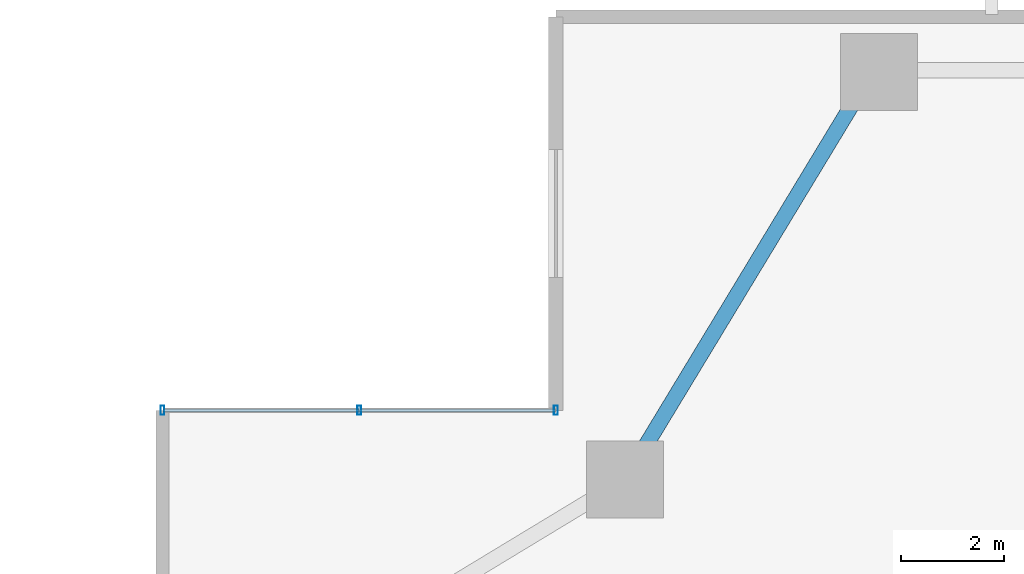
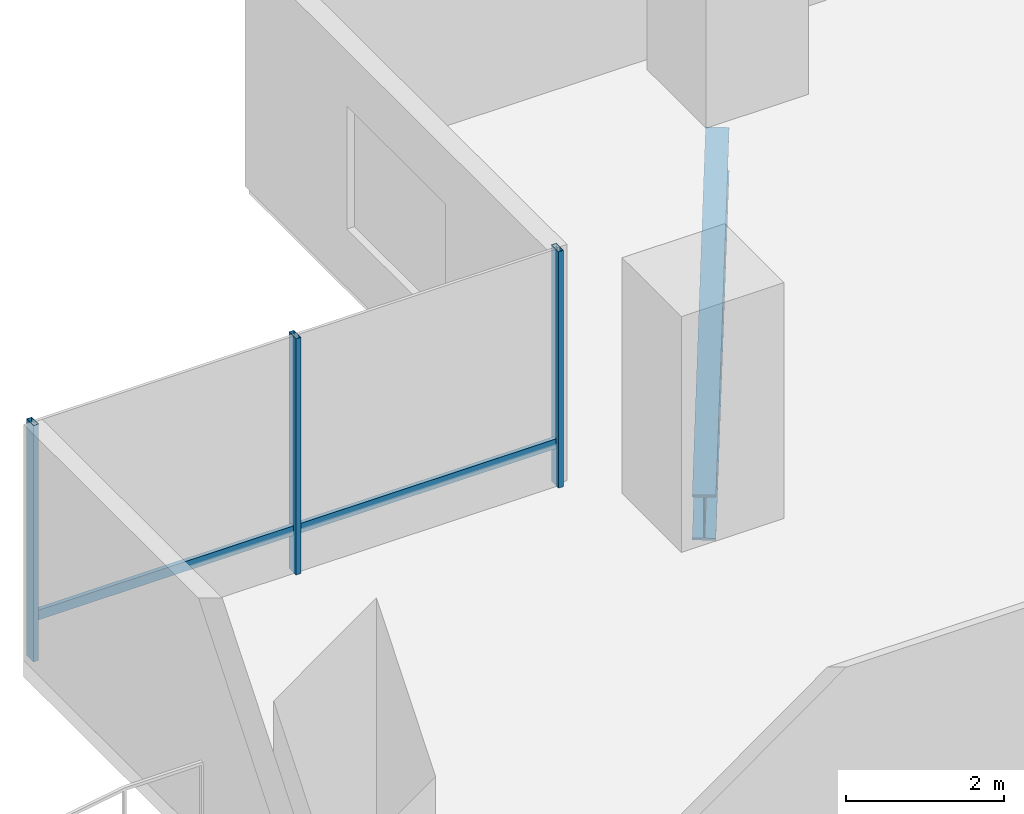
# One storey, part 15 of 30: 5 members, 1 beam, 1 element without a shape of its own.
"""IFC4 building model written with IfcOpenShell, lengths in metres."""

from ifc_helpers import new_model, si_unit, direction, frame, origin, origin_2d, place, context, subcontext, project, spatial, hollow_rectangle, i_section, extrude, material, layer, layer_set, material_profile, profile_set, type_object, element, aggregate, save


model = new_model("IFC4")

# Units and contexts
model_context = context("Model", 3, precision=1e-05, world=origin(), true_north=direction((0.0, 1.0)))
body_context = subcontext(model_context, "Body", "Model", "MODEL_VIEW")
ifc_project = project(units=[si_unit("LENGTHUNIT", "METRE"), si_unit("AREAUNIT", "SQUARE_METRE"), si_unit("VOLUMEUNIT", "CUBIC_METRE"), si_unit("PLANEANGLEUNIT", "RADIAN"), si_unit("MASSUNIT", "GRAM", prefix="KILO")], contexts=[model_context])

# Site, building, storey
site_placement = place(None, origin())
site = spatial("IfcSite", under=ifc_project, at=site_placement, CompositionType="ELEMENT")
building_placement = place(site_placement, origin())
building = spatial("IfcBuilding", under=site, at=building_placement, Name="Belovzor Exchange Tower", CompositionType="ELEMENT")
storey_placement = place(building_placement, frame((0.0, 0.0, 30.0)))
storey = spatial("IfcBuildingStorey", under=building, at=storey_placement, Name="L06", CompositionType="ELEMENT", Elevation=30.0)

# Curtain wall, members
ifc_material_1 = material(Name="Anodised Aluminium Framing", Category="aluminium")
ifc_layer = layer(ifc_material_1, 0.195068359375)
ifc_layer_set = layer_set([ifc_layer], Name="Anodised Aluminium Framing")
curtain_wall_type = type_object("IfcCurtainWallType", Name="Notched Re-Entrant Corner Unitised Curtain Wall", PredefinedType="NOTDEFINED", material=ifc_layer_set)
curtain_wall_placement = place(storey_placement, origin())
curtain_wall = element("IfcCurtainWall", 1, at=curtain_wall_placement, inside=storey, type_object=curtain_wall_type, Name="CW5 Notched Re-Entrant Corner Unitised Curtain Wall L06", PredefinedType="NOTDEFINED")
ifc_material_2 = material(Name="Steel S355", Category="steel")
ifc_material_profile_1 = material_profile(ifc_material_2, hollow_rectangle(XDim=0.074951171875, YDim=0.179931640625, WallThickness=0.0048828125, at=origin_2d()))
ifc_profile_set_1 = profile_set([ifc_material_profile_1], Name="Steel S355")
member_type_1 = type_object("IfcMemberType", Name="Thermally Broken Curtain Wall Mullion 180x75", PredefinedType="MULLION", material=ifc_profile_set_1)
member_1_placement = place(storey_placement, frame((1.030029296875, 48.89990234375, 0.0), z_axis=(0.0, 0.0, 1.0), x_axis=(1.0, 0.0, 0.0)))
member_1 = element("IfcMember", 2, at=member_1_placement, type_object=member_type_1, Name="CW-M180 Curtain Wall Mullion 1", PredefinedType="MULLION", context=body_context, shape_type="SweptSolid", body=[
    extrude(hollow_rectangle(XDim=0.074951171875, YDim=0.179931640625, WallThickness=0.0048828125, at=origin_2d()), origin(), (0.0, 0.0, 1.0), 3.64990234375),
])
member_2_placement = place(storey_placement, frame((4.864990234375, 48.89990234375, 0.0), z_axis=(0.0, 0.0, 1.0), x_axis=(1.0, 0.0, 0.0)))
member_2 = element("IfcMember", 3, at=member_2_placement, type_object=member_type_1, Name="CW-M180 Curtain Wall Mullion 2", PredefinedType="MULLION", context=body_context, shape_type="SweptSolid", body=[
    extrude(hollow_rectangle(XDim=0.074951171875, YDim=0.179931640625, WallThickness=0.0048828125, at=origin_2d()), origin(), (0.0, 0.0, 1.0), 3.64990234375),
])
member_3_placement = place(storey_placement, frame((8.699951171875, 48.89990234375, 0.0), z_axis=(0.0, 0.0, 1.0), x_axis=(1.0, 0.0, 0.0)))
member_3 = element("IfcMember", 4, at=member_3_placement, type_object=member_type_1, Name="CW-M180 Curtain Wall Mullion 3", PredefinedType="MULLION", context=body_context, shape_type="SweptSolid", body=[
    extrude(hollow_rectangle(XDim=0.074951171875, YDim=0.179931640625, WallThickness=0.0048828125, at=origin_2d()), origin(), (0.0, 0.0, 1.0), 3.64990234375),
])
ifc_material_3 = material(Name="Steel S355", Category="steel")
ifc_material_profile_2 = material_profile(ifc_material_3, hollow_rectangle(XDim=0.06005859375, YDim=0.14990234375, WallThickness=0.00390625, at=origin_2d()))
ifc_profile_set_2 = profile_set([ifc_material_profile_2], Name="Steel S355")
member_type_2 = type_object("IfcMemberType", Name="Thermally Broken Curtain Wall Transom 150x60", PredefinedType="USERDEFINED", material=ifc_profile_set_2)
member_4_placement = place(storey_placement, frame((1.0380859375, 48.89990234375, 0.64990234375), z_axis=(1.0, 0.0, 0.0), x_axis=(0.0, 1.0, 0.0)))
member_4 = element("IfcMember", 5, at=member_4_placement, type_object=member_type_2, Name="CW-T150 Curtain Wall Transom 1", ObjectType="TRANSOM", PredefinedType="USERDEFINED", context=body_context, shape_type="SweptSolid", body=[
    extrude(hollow_rectangle(XDim=0.06005859375, YDim=0.14990234375, WallThickness=0.00390625, at=origin_2d()), origin(), (0.0, 0.0, 1.0), 3.81884765625),
])
member_5_placement = place(storey_placement, frame((4.873046875, 48.89990234375, 0.64990234375), z_axis=(1.0, 0.0, 0.0), x_axis=(0.0, 1.0, 0.0)))
member_5 = element("IfcMember", 6, at=member_5_placement, type_object=member_type_2, Name="CW-T150 Curtain Wall Transom 2", ObjectType="TRANSOM", PredefinedType="USERDEFINED", context=body_context, shape_type="SweptSolid", body=[
    extrude(hollow_rectangle(XDim=0.06005859375, YDim=0.14990234375, WallThickness=0.00390625, at=origin_2d()), origin(), (0.0, 0.0, 1.0), 3.81884765625),
])
aggregate(curtain_wall, [member_1, member_2, member_3, member_4, member_5])

# Beam
ifc_material_4 = material(Name="Steel S355", Category="steel")
ifc_material_profile_3 = material_profile(ifc_material_4, i_section(OverallWidth=0.300048828125, OverallDepth=0.699951171875, WebThickness=0.01708984375, FlangeThickness=0.031982421875, at=origin_2d()))
ifc_profile_set_3 = profile_set([ifc_material_profile_3], Name="Steel S355")
beam_type = type_object("IfcBeamType", Name="Zone 1 Primary Perimeter Girder HEB 700", PredefinedType="BEAM", material=ifc_profile_set_3)
beam_placement = place(storey_placement, frame((14.56689453125, 55.011962890625, -0.60009765625), z_axis=(-0.517893044224, -0.855445378002, 0.0), x_axis=(0.855445378002, -0.517893044224, 0.0)))
element("IfcBeam", 7, at=beam_placement, inside=storey, type_object=beam_type, Name="FG-Z1 Zone 1 Primary Perimeter Girder HEB 700", PredefinedType="BEAM", context=body_context, shape_type="SweptSolid", body=[
    extrude(i_section(OverallWidth=0.300048828125, OverallDepth=0.699951171875, WebThickness=0.01708984375, FlangeThickness=0.031982421875, at=origin_2d()), origin(), (0.0, 0.0, 1.0), 8.1171875),
])

save(model, "model.ifc")
